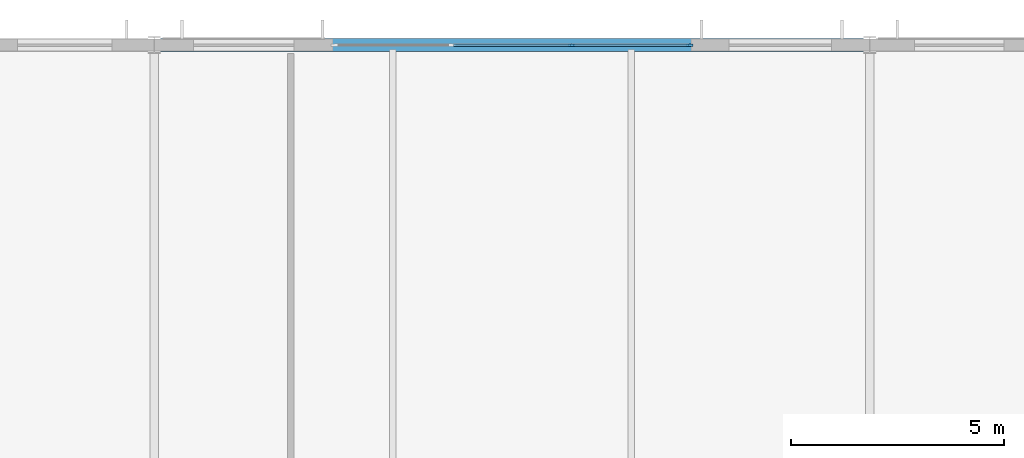
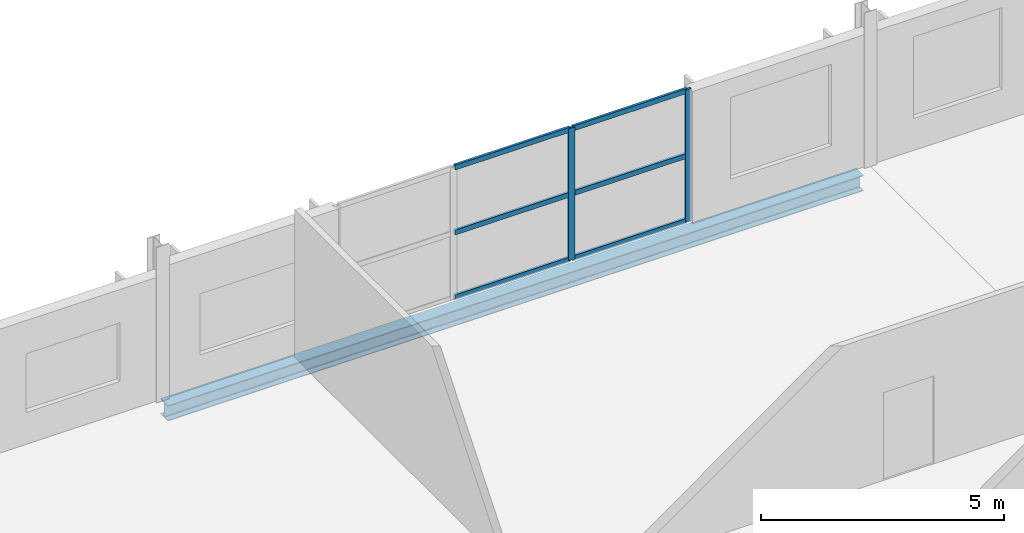
# One storey, part 15 of 36: 8 members, 1 beam, 1 element without a shape of its own.
"""IFC4 building model written with IfcOpenShell, lengths in metres."""

import ifcopenshell
import ifcopenshell.guid

model = None  # the IFC model being written
_history = None  # IfcOwnerHistory: only IFC2X3 demands one
_inside = {}  # id of a spatial element -> (the spatial element, [elements in it])
_under = {}  # id of a project, library or spatial element -> (it, [spatial elements below it])
_declared = {}  # id of a project -> (the project, [libraries it declares])
_typed = {}  # id of a type object -> (the type object, [elements of that type])
_made_of = {}  # id of a material, layer set ... -> (it, [elements and type objects made of it])


def new_model(schema):
    """Start an empty IFC model of exactly this schema.

    Asked for "IFC4X3", IfcOpenShell would pick the latest addendum, in which some entities
    have other attributes; the version numbers below select the first issue.
    IFC2X3 requires an IfcOwnerHistory on every rooted entity: one is made here for all.
    """
    global model, _history
    if schema == "IFC4X3":
        model = ifcopenshell.file(schema_version=(4, 3, 0, 0))
    else:
        model = ifcopenshell.file(schema=schema)
    _inside.clear()
    _under.clear()
    _declared.clear()
    _typed.clear()
    _made_of.clear()
    _history = None
    if model.schema == "IFC2X3":
        org = make("IfcOrganization", Name="unknown")
        user = make(
            "IfcPersonAndOrganization",
            ThePerson=make("IfcPerson", FamilyName="unknown"),
            TheOrganization=org,
        )
        app = make(
            "IfcApplication",
            ApplicationDeveloper=org,
            Version="unknown",
            ApplicationFullName="unknown",
            ApplicationIdentifier="unknown",
        )
        _history = make(
            "IfcOwnerHistory",
            OwningUser=user,
            OwningApplication=app,
            ChangeAction="ADDED",
            CreationDate=0,
        )
    return model


def make(cls, **values):
    """One entity of the class cls with the attributes given. An attribute that is None is left unset."""
    return model.create_entity(
        cls, **{name: value for name, value in values.items() if value is not None}
    )


def rooted(cls, **values):
    """An entity with a GlobalId (a new one), such as an element, a storey or a relation."""
    return make(cls, GlobalId=ifcopenshell.guid.new(), OwnerHistory=_history, **values)


def si_unit(unit_type, name, prefix=None):
    """IfcSIUnit, for example si_unit("LENGTHUNIT", "METRE", prefix="MILLI")."""
    return make("IfcSIUnit", UnitType=unit_type, Prefix=prefix, Name=name)


def assignment(units):
    """IfcUnitAssignment: the units of a project."""
    return None if units is None else make("IfcUnitAssignment", Units=units)


def point(xyz):
    """IfcCartesianPoint."""
    return None if xyz is None else make("IfcCartesianPoint", Coordinates=xyz)


def direction(xyz):
    """IfcDirection."""
    return None if xyz is None else make("IfcDirection", DirectionRatios=xyz)


def frame(location, z_axis=None, x_axis=None):
    """IfcAxis2Placement3D, a coordinate frame: its origin and axes. An axis left out is left unset."""
    return make(
        "IfcAxis2Placement3D",
        Location=point(location),
        Axis=direction(z_axis),
        RefDirection=direction(x_axis),
    )


def frame_2d(location, x_axis=None):
    """IfcAxis2Placement2D, a coordinate frame in the plane: its origin and x axis."""
    return make(
        "IfcAxis2Placement2D", Location=point(location), RefDirection=direction(x_axis)
    )


def origin():
    """The frame at (0, 0, 0) with its axes left unset."""
    return frame((0.0, 0.0, 0.0))


def origin_2d():
    """The frame at (0, 0) in the plane with its x axis left unset."""
    return frame_2d((0.0, 0.0))


def place(relative_to, where):
    """IfcLocalPlacement: puts the frame where relative to a parent placement (None: the world)."""
    return make(
        "IfcLocalPlacement", PlacementRelTo=relative_to, RelativePlacement=where
    )


def context(
    kind, dimensions, precision=None, world=None, true_north=None, identifier=None
):
    """IfcGeometricRepresentationContext, for example the 3D "Model" context."""
    return make(
        "IfcGeometricRepresentationContext",
        ContextIdentifier=identifier,
        ContextType=kind,
        CoordinateSpaceDimension=dimensions,
        Precision=precision,
        WorldCoordinateSystem=world,
        TrueNorth=true_north,
    )


def subcontext(parent, identifier, kind, view, scale=None):
    """IfcGeometricRepresentationSubContext, for example "Body" below "Model"."""
    return make(
        "IfcGeometricRepresentationSubContext",
        ContextIdentifier=identifier,
        ContextType=kind,
        ParentContext=parent,
        TargetScale=scale,
        TargetView=view,
    )


def project(units=None, contexts=None):
    """IfcProject with its units and contexts."""
    return rooted(
        "IfcProject",
        Name="project",
        RepresentationContexts=contexts,
        UnitsInContext=assignment(units),
    )


def spatial(cls, under=None, at=None, **own):
    """A site, building, storey or space (cls), placed at a placement, below another one or the project."""
    s = rooted(cls, ObjectPlacement=at, **own)
    if under is not None:
        _under.setdefault(under.id(), (under, []))[1].append(s)
    return s


def profile(cls, at=None, kind="AREA", **sizes):
    """A parametric profile (cls). Its sizes go by their IFC names, for example OverallWidth=200.0."""
    return make(cls, ProfileType=kind, Position=at, **sizes)


def rectangle(**sizes):
    """IfcRectangleProfileDef."""
    return profile("IfcRectangleProfileDef", **sizes)


def i_section(**sizes):
    """IfcIShapeProfileDef."""
    return profile("IfcIShapeProfileDef", **sizes)


def extrude(swept, where, along, depth):
    """IfcExtrudedAreaSolid: the profile swept, set in the frame where, extruded along a direction by depth."""
    return make(
        "IfcExtrudedAreaSolid",
        SweptArea=swept,
        Position=where,
        ExtrudedDirection=direction(along),
        Depth=depth,
    )


def shape(context_of_items, identifier, shape_type, items):
    """IfcShapeRepresentation: the items that make up one representation, for example the "Body"."""
    return make(
        "IfcShapeRepresentation",
        ContextOfItems=context_of_items,
        RepresentationIdentifier=identifier,
        RepresentationType=shape_type,
        Items=items,
    )


def material(Name=None, Category=None):
    """IfcMaterial."""
    return make("IfcMaterial", Name=Name, Category=Category)


def material_profile(
    of_material, cross_section, Name=None, Category=None, Priority=None
):
    """IfcMaterialProfile: a cross section and its material."""
    return make(
        "IfcMaterialProfile",
        Name=Name,
        Material=of_material,
        Profile=cross_section,
        Priority=Priority,
        Category=Category,
    )


def profile_set(profiles, Name=None, composite=None):
    """IfcMaterialProfileSet."""
    return make(
        "IfcMaterialProfileSet",
        Name=Name,
        MaterialProfiles=profiles,
        CompositeProfile=composite,
    )


def made_of(thing, what):
    """Note that an element or type object is made of a material, layer set ...; save() writes the relation."""
    if what is not None:
        _made_of.setdefault(what.id(), (what, []))[1].append(thing)
    return thing


def type_object(cls, material=None, **own):
    """A type object (cls), such as IfcWallType, which elements share."""
    return made_of(rooted(cls, **own), material)


def element(
    cls,
    number,
    at=None,
    inside=None,
    cuts=None,
    type_object=None,
    material=None,
    context=None,
    identifier="Body",
    shape_type=None,
    held_by="IfcProductDefinitionShape",
    body=None,
    shapes=None,
    **own,
):
    """One element of the class cls, such as IfcWall. Its Tag is "e" and its number.

    at: its placement. inside: the storey or other place that contains it. cuts: it is an
    opening in that element (IfcRelVoidsElement). A single representation is given by context,
    identifier, shape_type and body (its items); several are given by shapes. held_by: the class
    of the entity that holds the representations. save() writes the other relations.
    """
    e = rooted(cls, Tag="e%d" % number, ObjectPlacement=at, **own)
    if body is not None:
        shapes = [shape(context, identifier, shape_type, body)]
    if shapes is not None:
        e.Representation = make(held_by, Representations=shapes)
    if inside is not None:
        _inside.setdefault(inside.id(), (inside, []))[1].append(e)
    if cuts is not None:
        rooted(
            "IfcRelVoidsElement", RelatingBuildingElement=cuts, RelatedOpeningElement=e
        )
    if type_object is not None:
        _typed.setdefault(type_object.id(), (type_object, []))[1].append(e)
    return made_of(e, material)


def aggregate(whole, parts):
    """IfcRelAggregates: a whole, such as a stair, and the parts it consists of."""
    return rooted("IfcRelAggregates", RelatingObject=whole, RelatedObjects=parts)


def save(model, path):
    """Write the relations noted so far, then the file.

    IfcRelAggregates (storeys below a building ...), IfcRelContainedInSpatialStructure (elements
    in a storey), IfcRelDefinesByType, IfcRelAssociatesMaterial and IfcRelDeclares: one each for
    every whole, place, type object, material and project.
    """
    for whole, parts in _under.values():
        aggregate(whole, parts)
    for where, things in _inside.values():
        rooted(
            "IfcRelContainedInSpatialStructure",
            RelatedElements=things,
            RelatingStructure=where,
        )
    for kind, things in _typed.values():
        rooted("IfcRelDefinesByType", RelatedObjects=things, RelatingType=kind)
    for what, things in _made_of.values():
        rooted("IfcRelAssociatesMaterial", RelatedObjects=things, RelatingMaterial=what)
    for by, libraries in _declared.values():
        rooted("IfcRelDeclares", RelatingContext=by, RelatedDefinitions=libraries)
    model.write(path)


model = new_model("IFC4")

# Units and contexts
model_context = context("Model", 3, precision=1e-05, world=origin(), true_north=direction((0.0, 1.0)))
body_context = subcontext(model_context, "Body", "Model", "MODEL_VIEW")
ifc_project = project(units=[si_unit("LENGTHUNIT", "METRE"), si_unit("AREAUNIT", "SQUARE_METRE"), si_unit("VOLUMEUNIT", "CUBIC_METRE"), si_unit("PLANEANGLEUNIT", "RADIAN"), si_unit("MASSUNIT", "GRAM", prefix="KILO")], contexts=[model_context])

# Site, building, storey
site_placement = place(None, origin())
site = spatial("IfcSite", under=ifc_project, at=site_placement, CompositionType="ELEMENT")
building_placement = place(site_placement, origin())
building = spatial("IfcBuilding", under=site, at=building_placement, Name="Kimbaza Rail Terminus", CompositionType="ELEMENT")
storey_placement = place(building_placement, frame((0.0, 0.0, 21.0)))
storey = spatial("IfcBuildingStorey", under=building, at=storey_placement, Name="L04", CompositionType="ELEMENT", Elevation=21.0)

# Curtain wall, members
ifc_material_1 = material(Name="Anodised aluminium framing and solar low-E glazing", Category="aluminium")
curtain_wall_type = type_object("IfcCurtainWallType", Name="ARC-CW-OP2", PredefinedType="USERDEFINED", material=ifc_material_1)
curtain_wall_placement = place(storey_placement, origin())
curtain_wall = element("IfcCurtainWall", 1, at=curtain_wall_placement, inside=storey, type_object=curtain_wall_type, Name="Operations North Curtain Wall L04 Bay 2", ObjectType="STICK CURTAIN WALL", PredefinedType="USERDEFINED")
ifc_material_2 = material(Name="Anodised architectural aluminium", Category="aluminium")
ifc_material_profile_1 = material_profile(ifc_material_2, rectangle(XDim=0.05810546875, YDim=0.14990234375, at=origin_2d()), Name="MULLION 58x150")
ifc_profile_set_1 = profile_set([ifc_material_profile_1], Name="Anodised architectural aluminium")
member_type_1 = type_object("IfcMemberType", Name="ARC-CWM-06", PredefinedType="MULLION", material=ifc_profile_set_1)
member_1_placement = place(storey_placement, frame((81.800048828125, 133.0, 0.0), z_axis=(0.0, 0.0, 1.0), x_axis=(0.0, 1.0, 0.0)))
member_1 = element("IfcMember", 2, at=member_1_placement, type_object=member_type_1, Name="CW-06 mullion 3", PredefinedType="MULLION", context=body_context, shape_type="SweptSolid", body=[
    extrude(rectangle(XDim=0.05810546875, YDim=0.14990234375, at=origin_2d()), origin(), (0.0, 0.0, 1.0), 3.31494140625),
])
member_2_placement = place(storey_placement, frame((84.571044921875, 133.0, 0.0), z_axis=(0.0, 0.0, 1.0), x_axis=(0.0, 1.0, 0.0)))
member_2 = element("IfcMember", 3, at=member_2_placement, type_object=member_type_1, Name="CW-06 mullion 4", PredefinedType="MULLION", context=body_context, shape_type="SweptSolid", body=[
    extrude(rectangle(XDim=0.05810546875, YDim=0.14990234375, at=origin_2d()), origin(), (0.0, 0.0, 1.0), 3.31494140625),
])
ifc_material_3 = material(Name="Anodised architectural aluminium", Category="aluminium")
ifc_material_profile_2 = material_profile(ifc_material_3, rectangle(XDim=0.05810546875, YDim=0.125, at=origin_2d()), Name="TRANSOM 58x125")
ifc_profile_set_2 = profile_set([ifc_material_profile_2], Name="Anodised architectural aluminium")
member_type_2 = type_object("IfcMemberType", Name="ARC-CWT-06", PredefinedType="USERDEFINED", material=ifc_profile_set_2)
member_3_placement = place(storey_placement, frame((79.029052734375, 133.0, 0.029052734375), z_axis=(1.0, 0.0, 0.0), x_axis=(0.0, 1.0, 0.0)))
member_3 = element("IfcMember", 4, at=member_3_placement, type_object=member_type_2, Name="CW-06 transom 2.1", ObjectType="TRANSOM", PredefinedType="USERDEFINED", context=body_context, shape_type="SweptSolid", body=[
    extrude(rectangle(XDim=0.05810546875, YDim=0.125, at=origin_2d()), origin(), (0.0, 0.0, 1.0), 2.741943359375),
])
member_4_placement = place(storey_placement, frame((79.029052734375, 133.0, 1.657470703125), z_axis=(1.0, 0.0, 0.0), x_axis=(0.0, 1.0, 0.0)))
member_4 = element("IfcMember", 5, at=member_4_placement, type_object=member_type_2, Name="CW-06 transom 2.2", ObjectType="TRANSOM", PredefinedType="USERDEFINED", context=body_context, shape_type="SweptSolid", body=[
    extrude(rectangle(XDim=0.05810546875, YDim=0.125, at=origin_2d()), origin(), (0.0, 0.0, 1.0), 2.741943359375),
])
member_5_placement = place(storey_placement, frame((79.029052734375, 133.0, 3.285888671875), z_axis=(1.0, 0.0, 0.0), x_axis=(0.0, 1.0, 0.0)))
member_5 = element("IfcMember", 6, at=member_5_placement, type_object=member_type_2, Name="CW-06 transom 2.3", ObjectType="TRANSOM", PredefinedType="USERDEFINED", context=body_context, shape_type="SweptSolid", body=[
    extrude(rectangle(XDim=0.05810546875, YDim=0.125, at=origin_2d()), origin(), (0.0, 0.0, 1.0), 2.741943359375),
])
member_6_placement = place(storey_placement, frame((81.8291015625, 133.0, 0.029052734375), z_axis=(1.0, 0.0, 0.0), x_axis=(0.0, 1.0, 0.0)))
member_6 = element("IfcMember", 7, at=member_6_placement, type_object=member_type_2, Name="CW-06 transom 3.1", ObjectType="TRANSOM", PredefinedType="USERDEFINED", context=body_context, shape_type="SweptSolid", body=[
    extrude(rectangle(XDim=0.05810546875, YDim=0.125, at=origin_2d()), origin(), (0.0, 0.0, 1.0), 2.712890625),
])
member_7_placement = place(storey_placement, frame((81.8291015625, 133.0, 1.657470703125), z_axis=(1.0, 0.0, 0.0), x_axis=(0.0, 1.0, 0.0)))
member_7 = element("IfcMember", 8, at=member_7_placement, type_object=member_type_2, Name="CW-06 transom 3.2", ObjectType="TRANSOM", PredefinedType="USERDEFINED", context=body_context, shape_type="SweptSolid", body=[
    extrude(rectangle(XDim=0.05810546875, YDim=0.125, at=origin_2d()), origin(), (0.0, 0.0, 1.0), 2.712890625),
])
member_8_placement = place(storey_placement, frame((81.8291015625, 133.0, 3.285888671875), z_axis=(1.0, 0.0, 0.0), x_axis=(0.0, 1.0, 0.0)))
member_8 = element("IfcMember", 9, at=member_8_placement, type_object=member_type_2, Name="CW-06 transom 3.3", ObjectType="TRANSOM", PredefinedType="USERDEFINED", context=body_context, shape_type="SweptSolid", body=[
    extrude(rectangle(XDim=0.05810546875, YDim=0.125, at=origin_2d()), origin(), (0.0, 0.0, 1.0), 2.712890625),
])
aggregate(curtain_wall, [member_1, member_2, member_3, member_4, member_5, member_6, member_7, member_8])

# Beam
ifc_material_4 = material(Name="Steel S355", Category="steel")
ifc_material_profile_3 = material_profile(ifc_material_4, i_section(OverallWidth=0.300048828125, OverallDepth=0.389892578125, WebThickness=0.010986328125, FlangeThickness=0.01904296875, FilletRadius=0.027099609375, at=origin_2d()), Name="HEA 400")
ifc_profile_set_3 = profile_set([ifc_material_profile_3], Name="Steel S355")
beam_type = type_object("IfcBeamType", Name="STR-BM-HEA400", PredefinedType="SPANDREL", material=ifc_profile_set_3)
beam_placement = place(storey_placement, frame((72.14599609375, 133.0, -0.39501953125), z_axis=(1.0, 0.0, 0.0), x_axis=(0.0, 1.0, 0.0)))
element("IfcBeam", 10, at=beam_placement, inside=storey, type_object=beam_type, Name="Operations Girder L04 X1-Y2", PredefinedType="SPANDREL", context=body_context, shape_type="SweptSolid", body=[
    extrude(i_section(OverallWidth=0.300048828125, OverallDepth=0.389892578125, WebThickness=0.010986328125, FlangeThickness=0.01904296875, FilletRadius=0.027099609375, at=origin_2d()), origin(), (0.0, 0.0, 1.0), 16.508056640625),
])

save(model, "model.ifc")
